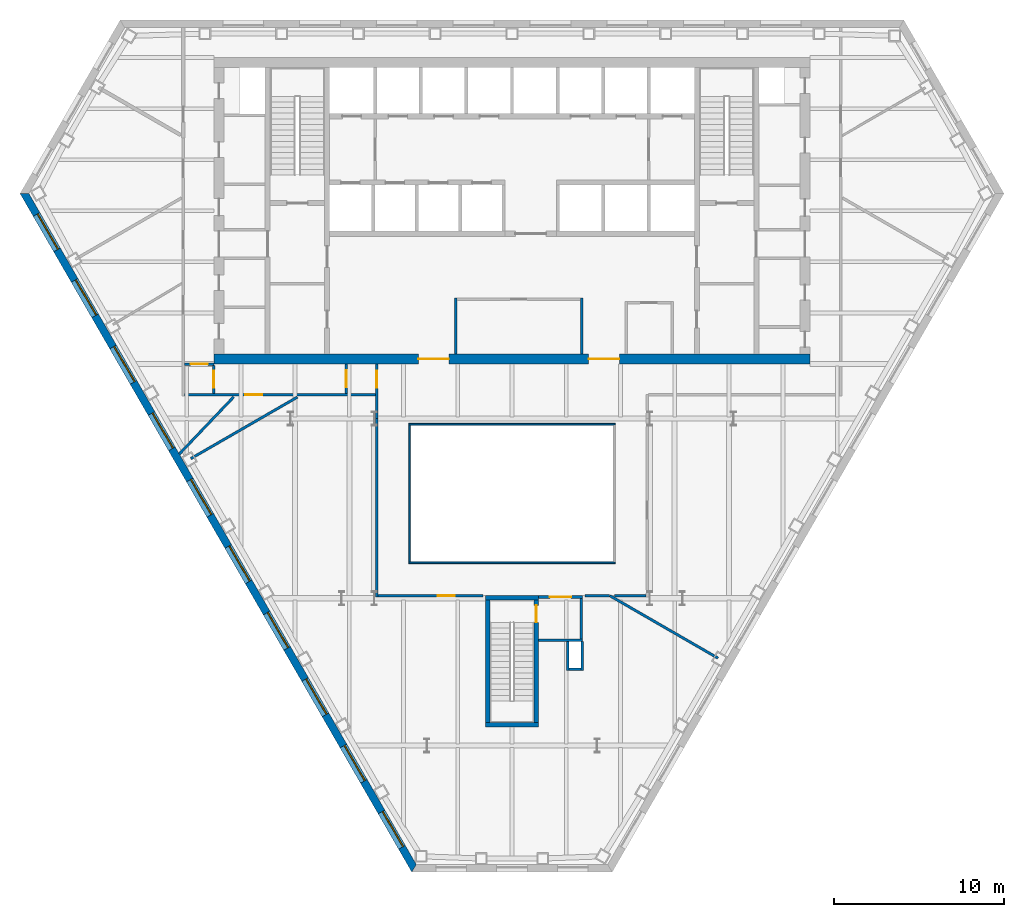
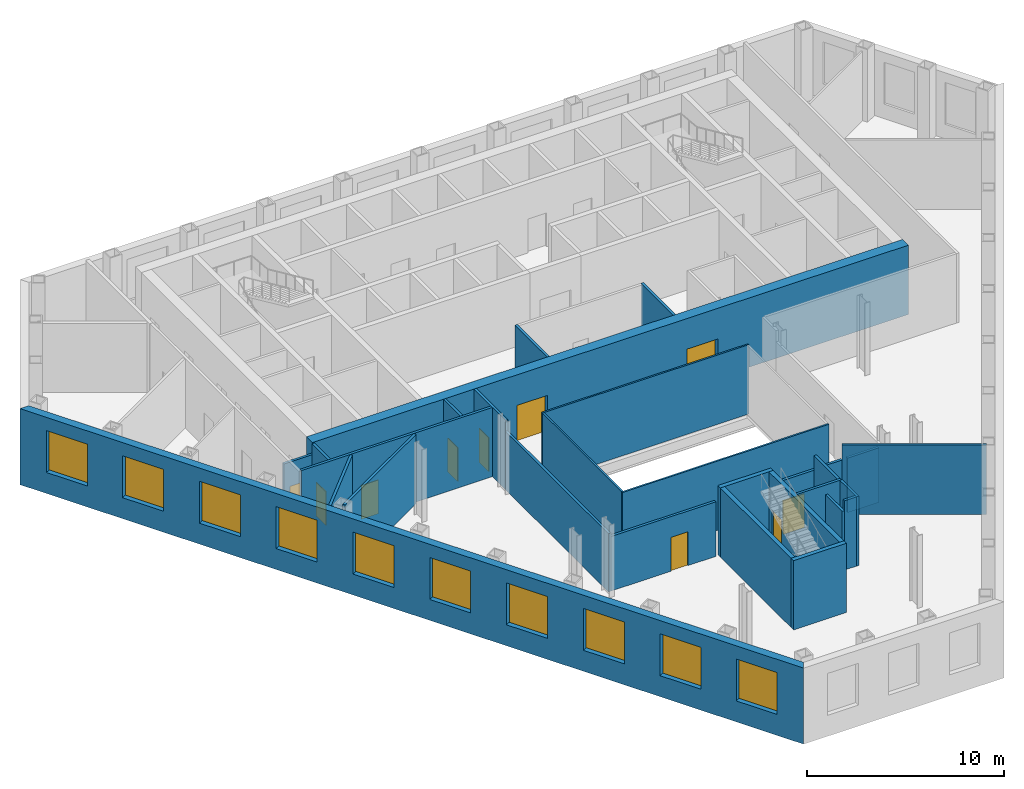
# One storey, part 4 of 11: 29 walls, 10 doors, 10 windows, 20 openings.
"""IFC4 building model written with IfcOpenShell, lengths in metres."""

from ifc_helpers import new_model, si_unit, direction, frame, frame_2d, origin, place, context, subcontext, project, spatial, polyline, rectangle, outline, extrude, material, layer, layer_set, type_object, element, fill, save


model = new_model("IFC4")

# Units and contexts
model_context = context("Model", 3, precision=1e-05, world=origin(), true_north=direction((0.0, 1.0)))
body_context = subcontext(model_context, "Body", "Model", "MODEL_VIEW")
ifc_project = project(units=[si_unit("LENGTHUNIT", "METRE"), si_unit("AREAUNIT", "SQUARE_METRE"), si_unit("VOLUMEUNIT", "CUBIC_METRE"), si_unit("PLANEANGLEUNIT", "RADIAN"), si_unit("MASSUNIT", "GRAM", prefix="KILO")], contexts=[model_context])

# Site, building, storey
site_placement = place(None, origin())
site = spatial("IfcSite", under=ifc_project, at=site_placement, CompositionType="ELEMENT")
building_placement = place(site_placement, origin())
building = spatial("IfcBuilding", under=site, at=building_placement, Name="Njiva Tower", CompositionType="ELEMENT")
storey_placement = place(building_placement, frame((0.0, 0.0, 42.3)))
storey = spatial("IfcBuildingStorey", under=building, at=storey_placement, Name="L08", CompositionType="ELEMENT", Elevation=42.3)

# Walls
ifc_material_1 = material(Name="Blockwork", Category="masonry")
ifc_layer_1 = layer(ifc_material_1, 0.15)
ifc_layer_set_1 = layer_set([ifc_layer_1], Name="Blockwork")
wall_type_1 = type_object("IfcWallType", Name="WT1 Compartment partition 150", PredefinedType="PARTITIONING", material=ifc_layer_set_1)
for number, where, z_axis, x_axis, name in (
    (1, (-3.3, 0.6, 0.0), (0.0, 0.0, 1.0), (0.0, 1.0, 0.0), "Information office wall west"),
    (2, (4.1, 0.6, 0.0), (0.0, 0.0, 1.0), (0.0, 1.0, 0.0), "Information office wall east"),
):
    element("IfcWall", number, at=place(storey_placement, frame(where, z_axis=z_axis, x_axis=x_axis)), inside=storey, type_object=wall_type_1, Name=name, PredefinedType="PARTITIONING", context=body_context, shape_type="SweptSolid", body=[
        extrude(rectangle(XDim=3.275, YDim=0.15, at=frame_2d((1.6375, 0.0))), origin(), (0.0, 0.0, 1.0), 4.3),
    ])

# Wall, openings, doors
ifc_material_2 = material(Name="Concrete C60/75", Category="concrete")
ifc_layer_2 = layer(ifc_material_2, 0.6)
ifc_layer_set_2 = layer_set([ifc_layer_2], Name="Concrete C60/75")
wall_type_2 = type_object("IfcWallType", Name="WT15 Core wall 600", PredefinedType="SHEAR", material=ifc_layer_set_2)
wall_1_placement = place(storey_placement, frame((-17.5, 0.3, 0.0), z_axis=(0.0, 0.0, 1.0), x_axis=(1.0, 0.0, 0.0)))
wall_1 = element("IfcWall", 3, at=wall_1_placement, inside=storey, type_object=wall_type_2, Name="Core wall south", PredefinedType="SHEAR", context=body_context, shape_type="SweptSolid", body=[
    extrude(rectangle(XDim=35.0, YDim=0.6, at=frame_2d((17.5, 0.0))), origin(), (0.0, 0.0, 1.0), 4.3),
])
opening_1_placement = place(wall_1_placement, frame((12.0, 0.0, 0.0)))
opening_1 = element("IfcOpeningElement", 4, at=opening_1_placement, cuts=wall_1, Name="Opening S02-D937", PredefinedType="OPENING", context=body_context, shape_type="SweptSolid", body=[
    extrude(rectangle(XDim=1.8, YDim=2.4, at=frame_2d((0.9, 1.2))), frame((0.0, 0.31, 0.0), z_axis=(0.0, -1.0, 0.0), x_axis=(1.0, 0.0, 0.0)), (0.0, 0.0, 1.0), 0.62),
])
opening_2_placement = place(wall_1_placement, frame((22.0, 0.0, 0.0)))
opening_2 = element("IfcOpeningElement", 5, at=opening_2_placement, cuts=wall_1, Name="Opening S02-D938", PredefinedType="OPENING", context=body_context, shape_type="SweptSolid", body=[
    extrude(rectangle(XDim=1.8, YDim=2.4, at=frame_2d((0.9, 1.2))), frame((0.0, 0.31, 0.0), z_axis=(0.0, -1.0, 0.0), x_axis=(1.0, 0.0, 0.0)), (0.0, 0.0, 1.0), 0.62),
])
ifc_material_3 = material(Name="Steel and glass door", Category="steel")
door_type_1 = type_object("IfcDoorType", Name="D3 Core entrance door 1800x2400", OperationType="DOUBLE_DOOR_SINGLE_SWING", PredefinedType="DOOR", material=ifc_material_3)
door_1_placement = place(opening_1_placement, origin())
door_1 = element("IfcDoor", 6, at=door_1_placement, inside=storey, type_object=door_type_1, Name="Core entrance door", OperationType="DOUBLE_DOOR_SINGLE_SWING", OverallHeight=2.4, OverallWidth=1.8, PredefinedType="DOOR", context=body_context, shape_type="SweptSolid", body=[
    extrude(rectangle(XDim=1.8, YDim=2.4, at=frame_2d((0.9, 1.2))), frame((0.0, 0.025, 0.0), z_axis=(0.0, -1.0, 0.0), x_axis=(1.0, 0.0, 0.0)), (0.0, 0.0, 1.0), 0.05),
])
fill(opening_1, door_1)
door_2_placement = place(opening_2_placement, origin())
door_2 = element("IfcDoor", 7, at=door_2_placement, inside=storey, type_object=door_type_1, Name="Core entrance door", OperationType="DOUBLE_DOOR_SINGLE_SWING", OverallHeight=2.4, OverallWidth=1.8, PredefinedType="DOOR", context=body_context, shape_type="SweptSolid", body=[
    extrude(rectangle(XDim=1.8, YDim=2.4, at=frame_2d((0.9, 1.2))), frame((0.0, 0.025, 0.0), z_axis=(0.0, -1.0, 0.0), x_axis=(1.0, 0.0, 0.0)), (0.0, 0.0, 1.0), 0.05),
])
fill(opening_2, door_2)

# Wall
ifc_material_4 = material(Name="Gypsum board on steel studs", Category="gypsum")
ifc_layer_3 = layer(ifc_material_4, 0.15)
ifc_layer_set_3 = layer_set([ifc_layer_3], Name="Gypsum board on steel studs")
wall_type_3 = type_object("IfcWallType", Name="WT21 Compartment wall 150", PredefinedType="PARTITIONING", material=ifc_layer_set_3)
wall_2_placement = place(storey_placement, frame((-19.533, -5.282, 0.0), z_axis=(0.0, 0.0, 1.0), x_axis=(0.689628223258, 0.724163595941, 0.0)))
element("IfcWall", 8, at=wall_2_placement, inside=storey, type_object=wall_type_3, Name="Partition S02-P004", PredefinedType="PARTITIONING", context=body_context, shape_type="SweptSolid", body=[
    extrude(rectangle(XDim=4.6329, YDim=0.15, at=frame_2d((2.3164, 0.0))), origin(), (0.0, 0.0, 1.0), 4.3),
])

# Wall, opening, door
wall_3_placement = place(storey_placement, frame((-19.225, -1.8, 0.0), z_axis=(0.0, 0.0, 1.0), x_axis=(1.0, 0.0, 0.0)))
wall_3 = element("IfcWall", 9, at=wall_3_placement, inside=storey, type_object=wall_type_3, Name="Partition S02-P007", PredefinedType="PARTITIONING", context=body_context, shape_type="SweptSolid", body=[
    extrude(rectangle(XDim=11.21, YDim=0.15, at=frame_2d((5.605, 0.0))), origin(), (0.0, 0.0, 1.0), 4.3),
])
opening_3_placement = place(wall_3_placement, frame((3.559, 0.0, 0.0)))
opening_3 = element("IfcOpeningElement", 10, at=opening_3_placement, cuts=wall_3, Name="Opening S02-D005", PredefinedType="OPENING", context=body_context, shape_type="SweptSolid", body=[
    extrude(rectangle(XDim=1.0, YDim=2.1, at=frame_2d((0.5, 1.05))), frame((0.0, 0.085, 0.0), z_axis=(0.0, -1.0, 0.0), x_axis=(1.0, 0.0, 0.0)), (0.0, 0.0, 1.0), 0.17),
])
ifc_material_5 = material(Name="Steel fire door set", Category="steel")
door_type_2 = type_object("IfcDoorType", Name="D37 Fire door 1000x2100", OperationType="SINGLE_SWING_LEFT", PredefinedType="DOOR", material=ifc_material_5)
door_3_placement = place(opening_3_placement, origin())
door_3 = element("IfcDoor", 11, at=door_3_placement, inside=storey, type_object=door_type_2, Name="Door S02-D005", OperationType="SINGLE_SWING_LEFT", OverallHeight=2.1, OverallWidth=1.0, PredefinedType="DOOR", context=body_context, shape_type="SweptSolid", body=[
    extrude(rectangle(XDim=1.0, YDim=2.1, at=frame_2d((0.5, 1.05))), frame((0.0, 0.025, 0.0), z_axis=(0.0, -1.0, 0.0), x_axis=(1.0, 0.0, 0.0)), (0.0, 0.0, 1.0), 0.05),
])
fill(opening_3, door_3)

wall_4_placement = place(storey_placement, frame((-19.225, 0.0, 0.0), z_axis=(0.0, 0.0, 1.0), x_axis=(1.0, 0.0, 0.0)))
wall_4 = element("IfcWall", 12, at=wall_4_placement, inside=storey, type_object=wall_type_3, Name="Partition S02-P008", PredefinedType="PARTITIONING", context=body_context, shape_type="SweptSolid", body=[
    extrude(rectangle(XDim=1.725, YDim=0.15, at=frame_2d((0.8625, 0.0))), origin(), (0.0, 0.0, 1.0), 3.61),
])
opening_4_placement = place(wall_4_placement, frame((0.363, 0.0, 0.0)))
opening_4 = element("IfcOpeningElement", 13, at=opening_4_placement, cuts=wall_4, Name="Opening S02-D006", PredefinedType="OPENING", context=body_context, shape_type="SweptSolid", body=[
    extrude(rectangle(XDim=1.0, YDim=2.1, at=frame_2d((0.5, 1.05))), frame((0.0, 0.085, 0.0), z_axis=(0.0, -1.0, 0.0), x_axis=(1.0, 0.0, 0.0)), (0.0, 0.0, 1.0), 0.17),
])
door_4_placement = place(opening_4_placement, origin())
door_4 = element("IfcDoor", 14, at=door_4_placement, inside=storey, type_object=door_type_2, Name="Door S02-D006", OperationType="SINGLE_SWING_LEFT", OverallHeight=2.1, OverallWidth=1.0, PredefinedType="DOOR", context=body_context, shape_type="SweptSolid", body=[
    extrude(rectangle(XDim=1.0, YDim=2.1, at=frame_2d((0.5, 1.05))), frame((0.0, 0.025, 0.0), z_axis=(0.0, -1.0, 0.0), x_axis=(1.0, 0.0, 0.0)), (0.0, 0.0, 1.0), 0.05),
])
fill(opening_4, door_4)

# Wall
wall_5_placement = place(storey_placement, frame((-18.858, -5.552, 0.0), z_axis=(0.0, 0.0, 1.0), x_axis=(0.866088799389, 0.499890179513, 0.0)))
element("IfcWall", 15, at=wall_5_placement, inside=storey, type_object=wall_type_3, Name="Partition S02-P009", PredefinedType="PARTITIONING", context=body_context, shape_type="SweptSolid", body=[
    extrude(rectangle(XDim=7.2256, YDim=0.15, at=frame_2d((3.6128, 0.0))), origin(), (0.0, 0.0, 1.0), 4.3),
])

# Wall, opening, door
wall_6_placement = place(storey_placement, frame((-17.5, -1.725, 0.0), z_axis=(0.0, 0.0, 1.0), x_axis=(0.0, 1.0, 0.0)))
wall_6 = element("IfcWall", 16, at=wall_6_placement, inside=storey, type_object=wall_type_3, Name="Partition S02-P010", PredefinedType="PARTITIONING", context=body_context, shape_type="SweptSolid", body=[
    extrude(rectangle(XDim=1.65, YDim=0.15, at=frame_2d((0.825, 0.0))), origin(), (0.0, 0.0, 1.0), 4.3),
])
opening_5_placement = place(wall_6_placement, frame((0.325, 0.0, 0.0)))
opening_5 = element("IfcOpeningElement", 17, at=opening_5_placement, cuts=wall_6, Name="Opening S02-D007", PredefinedType="OPENING", context=body_context, shape_type="SweptSolid", body=[
    extrude(rectangle(XDim=1.0, YDim=2.1, at=frame_2d((0.5, 1.05))), frame((0.0, 0.085, 0.0), z_axis=(0.0, -1.0, 0.0), x_axis=(1.0, 0.0, 0.0)), (0.0, 0.0, 1.0), 0.17),
])
door_5_placement = place(opening_5_placement, origin())
door_5 = element("IfcDoor", 18, at=door_5_placement, inside=storey, type_object=door_type_2, Name="Door S02-D007", OperationType="SINGLE_SWING_LEFT", OverallHeight=2.1, OverallWidth=1.0, PredefinedType="DOOR", context=body_context, shape_type="SweptSolid", body=[
    extrude(rectangle(XDim=1.0, YDim=2.1, at=frame_2d((0.5, 1.05))), frame((0.0, 0.025, 0.0), z_axis=(0.0, -1.0, 0.0), x_axis=(1.0, 0.0, 0.0)), (0.0, 0.0, 1.0), 0.05),
])
fill(opening_5, door_5)

wall_7_placement = place(storey_placement, frame((-9.74, -1.725, 0.0), z_axis=(0.0, 0.0, 1.0), x_axis=(0.0, 1.0, 0.0)))
wall_7 = element("IfcWall", 19, at=wall_7_placement, inside=storey, type_object=wall_type_3, Name="Partition S02-P011", PredefinedType="PARTITIONING", context=body_context, shape_type="SweptSolid", body=[
    extrude(rectangle(XDim=1.725, YDim=0.15, at=frame_2d((0.8625, 0.0))), origin(), (0.0, 0.0, 1.0), 4.3),
])
opening_6_placement = place(wall_7_placement, frame((0.363, 0.0, 0.0)))
opening_6 = element("IfcOpeningElement", 20, at=opening_6_placement, cuts=wall_7, Name="Opening S02-D008", PredefinedType="OPENING", context=body_context, shape_type="SweptSolid", body=[
    extrude(rectangle(XDim=1.0, YDim=2.1, at=frame_2d((0.5, 1.05))), frame((0.0, 0.085, 0.0), z_axis=(0.0, -1.0, 0.0), x_axis=(1.0, 0.0, 0.0)), (0.0, 0.0, 1.0), 0.17),
])
door_6_placement = place(opening_6_placement, origin())
door_6 = element("IfcDoor", 21, at=door_6_placement, inside=storey, type_object=door_type_2, Name="Door S02-D008", OperationType="SINGLE_SWING_LEFT", OverallHeight=2.1, OverallWidth=1.0, PredefinedType="DOOR", context=body_context, shape_type="SweptSolid", body=[
    extrude(rectangle(XDim=1.0, YDim=2.1, at=frame_2d((0.5, 1.05))), frame((0.0, 0.025, 0.0), z_axis=(0.0, -1.0, 0.0), x_axis=(1.0, 0.0, 0.0)), (0.0, 0.0, 1.0), 0.05),
])
fill(opening_6, door_6)

# Wall
wall_8_placement = place(storey_placement, frame((-7.94, -13.675, 0.0), z_axis=(0.0, 0.0, 1.0), x_axis=(0.0, 1.0, 0.0)))
element("IfcWall", 22, at=wall_8_placement, inside=storey, type_object=wall_type_3, Name="Partition S02-P012", PredefinedType="PARTITIONING", context=body_context, shape_type="SweptSolid", body=[
    extrude(rectangle(XDim=10.475, YDim=0.15, at=frame_2d((5.2375, 0.0))), origin(), (0.0, 0.0, 1.0), 3.61),
])

# Wall, opening, door
wall_9_placement = place(storey_placement, frame((-7.94, -3.2, 0.0), z_axis=(0.0, 0.0, 1.0), x_axis=(0.0, 1.0, 0.0)))
wall_9 = element("IfcWall", 23, at=wall_9_placement, inside=storey, type_object=wall_type_3, Name="Partition S02-P012A", PredefinedType="PARTITIONING", context=body_context, shape_type="SweptSolid", body=[
    extrude(rectangle(XDim=3.2, YDim=0.15, at=frame_2d((1.6, 0.0))), origin(), (0.0, 0.0, 1.0), 4.3),
])
opening_7_placement = place(wall_9_placement, frame((1.8, 0.0, 0.0)))
opening_7 = element("IfcOpeningElement", 24, at=opening_7_placement, cuts=wall_9, Name="Opening S02-D009", PredefinedType="OPENING", context=body_context, shape_type="SweptSolid", body=[
    extrude(rectangle(XDim=1.0, YDim=2.1, at=frame_2d((0.5, 1.05))), frame((0.0, 0.085, 0.0), z_axis=(0.0, -1.0, 0.0), x_axis=(1.0, 0.0, 0.0)), (0.0, 0.0, 1.0), 0.17),
])
door_7_placement = place(opening_7_placement, origin())
door_7 = element("IfcDoor", 25, at=door_7_placement, inside=storey, type_object=door_type_2, Name="Door S02-D009", OperationType="SINGLE_SWING_LEFT", OverallHeight=2.1, OverallWidth=1.0, PredefinedType="DOOR", context=body_context, shape_type="SweptSolid", body=[
    extrude(rectangle(XDim=1.0, YDim=2.1, at=frame_2d((0.5, 1.05))), frame((0.0, 0.025, 0.0), z_axis=(0.0, -1.0, 0.0), x_axis=(1.0, 0.0, 0.0)), (0.0, 0.0, 1.0), 0.05),
])
fill(opening_7, door_7)

wall_10_placement = place(storey_placement, frame((-7.865, -13.6, 0.0), z_axis=(0.0, 0.0, 1.0), x_axis=(1.0, 0.0, 0.0)))
wall_10 = element("IfcWall", 26, at=wall_10_placement, inside=storey, type_object=wall_type_3, Name="Partition S02-P013", PredefinedType="PARTITIONING", context=body_context, shape_type="SweptSolid", body=[
    extrude(rectangle(XDim=6.165, YDim=0.15, at=frame_2d((3.0825, 0.0))), origin(), (0.0, 0.0, 1.0), 3.39),
])
opening_8_placement = place(wall_10_placement, frame((3.514, 0.0, 0.0)))
opening_8 = element("IfcOpeningElement", 27, at=opening_8_placement, cuts=wall_10, Name="Opening S02-D010", PredefinedType="OPENING", context=body_context, shape_type="SweptSolid", body=[
    extrude(rectangle(XDim=1.0, YDim=2.1, at=frame_2d((0.5, 1.05))), frame((0.0, 0.085, 0.0), z_axis=(0.0, -1.0, 0.0), x_axis=(1.0, 0.0, 0.0)), (0.0, 0.0, 1.0), 0.17),
])
door_8_placement = place(opening_8_placement, origin())
door_8 = element("IfcDoor", 28, at=door_8_placement, inside=storey, type_object=door_type_2, Name="Door S02-D010", OperationType="SINGLE_SWING_RIGHT", OverallHeight=2.1, OverallWidth=1.0, PredefinedType="DOOR", context=body_context, shape_type="SweptSolid", body=[
    extrude(rectangle(XDim=1.0, YDim=2.1, at=frame_2d((0.5, 1.05))), frame((0.0, 0.025, 0.0), z_axis=(0.0, -1.0, 0.0), x_axis=(1.0, 0.0, 0.0)), (0.0, 0.0, 1.0), 0.05),
])
fill(opening_8, door_8)

# Walls
wall_11_placement = place(storey_placement, frame((4.3, -13.6, 0.0), z_axis=(0.0, 0.0, 1.0), x_axis=(1.0, 0.0, 0.0)))
element("IfcWall", 29, at=wall_11_placement, inside=storey, type_object=wall_type_3, Name="Partition S02-P014", PredefinedType="PARTITIONING", context=body_context, shape_type="SweptSolid", body=[
    extrude(rectangle(XDim=1.41, YDim=0.15, at=frame_2d((0.705, 0.0))), origin(), (0.0, 0.0, 1.0), 3.39),
])
wall_12_placement = place(storey_placement, frame((5.747, -13.602, 0.0), z_axis=(0.0, 0.0, 1.0), x_axis=(0.866085627872, -0.49989567431, 0.0)))
element("IfcWall", 30, at=wall_12_placement, inside=storey, type_object=wall_type_3, Name="Partition S02-P015", PredefinedType="PARTITIONING", context=body_context, shape_type="SweptSolid", body=[
    extrude(rectangle(XDim=7.3295, YDim=0.15, at=frame_2d((3.6648, 0.0))), origin(), (0.0, 0.0, 1.0), 4.3),
])
wall_13_placement = place(storey_placement, frame((6.024, -13.6, 0.0), z_axis=(0.0, 0.0, 1.0), x_axis=(1.0, 0.0, 0.0)))
element("IfcWall", 31, at=wall_13_placement, inside=storey, type_object=wall_type_3, Name="Partition S02-P016", PredefinedType="PARTITIONING", context=body_context, shape_type="SweptSolid", body=[
    extrude(rectangle(XDim=1.841, YDim=0.15, at=frame_2d((0.9205, 0.0))), origin(), (0.0, 0.0, 1.0), 3.39),
])
ifc_layer_4 = layer(ifc_material_1, 0.15)
ifc_layer_set_4 = layer_set([ifc_layer_4], Name="Blockwork")
wall_type_4 = type_object("IfcWallType", Name="WT4 Stair partition 150", PredefinedType="PARTITIONING", material=ifc_layer_set_4)
wall_14_placement = place(storey_placement, frame((1.55, -16.225, 0.0), z_axis=(0.0, 0.0, 1.0), x_axis=(1.0, 0.0, 0.0)))
element("IfcWall", 32, at=wall_14_placement, inside=storey, type_object=wall_type_4, Name="Stair C vestibule wall south", PredefinedType="PARTITIONING", context=body_context, shape_type="SweptSolid", body=[
    extrude(rectangle(XDim=2.6, YDim=0.15, at=frame_2d((1.3, 0.0))), origin(), (0.0, 0.0, 1.0), 4.3),
])
wall_15_placement = place(storey_placement, frame((4.075, -16.15, 0.0), z_axis=(0.0, 0.0, 1.0), x_axis=(0.0, 1.0, 0.0)))
element("IfcWall", 33, at=wall_15_placement, inside=storey, type_object=wall_type_4, Name="Stair C vestibule wall east", PredefinedType="PARTITIONING", context=body_context, shape_type="SweptSolid", body=[
    extrude(rectangle(XDim=2.4, YDim=0.15, at=frame_2d((1.2, 0.0))), origin(), (0.0, 0.0, 1.0), 4.3),
])

# Wall, opening, door
wall_16_placement = place(storey_placement, frame((1.55, -13.675, 0.0), z_axis=(0.0, 0.0, 1.0), x_axis=(1.0, 0.0, 0.0)))
wall_16 = element("IfcWall", 34, at=wall_16_placement, inside=storey, type_object=wall_type_4, Name="Stair C vestibule wall north", PredefinedType="PARTITIONING", context=body_context, shape_type="SweptSolid", body=[
    extrude(rectangle(XDim=2.6, YDim=0.15, at=frame_2d((1.3, 0.0))), origin(), (0.0, 0.0, 1.0), 3.39),
])
opening_9_placement = place(wall_16_placement, frame((0.675, 0.0, 0.0)))
opening_9 = element("IfcOpeningElement", 35, at=opening_9_placement, cuts=wall_16, Name="Opening S02-D940", PredefinedType="OPENING", context=body_context, shape_type="SweptSolid", body=[
    extrude(rectangle(XDim=1.25, YDim=2.1, at=frame_2d((0.625, 1.05))), frame((0.0, 0.085, 0.0), z_axis=(0.0, -1.0, 0.0), x_axis=(1.0, 0.0, 0.0)), (0.0, 0.0, 1.0), 0.17),
])
ifc_material_6 = material(Name="Glazed steel fire door", Category="steel")
door_type_3 = type_object("IfcDoorType", Name="D8 Vestibule corridor door 1250x2100 glazed", OperationType="SINGLE_SWING_LEFT", PredefinedType="DOOR", material=ifc_material_6)
door_9_placement = place(opening_9_placement, origin())
door_9 = element("IfcDoor", 36, at=door_9_placement, inside=storey, type_object=door_type_3, Name="Stair vestibule corridor door", OperationType="SINGLE_SWING_RIGHT", OverallHeight=2.1, OverallWidth=1.25, PredefinedType="DOOR", context=body_context, shape_type="SweptSolid", body=[
    extrude(rectangle(XDim=1.25, YDim=2.1, at=frame_2d((0.625, 1.05))), frame((0.0, 0.025, 0.0), z_axis=(0.0, -1.0, 0.0), x_axis=(1.0, 0.0, 0.0)), (0.0, 0.0, 1.0), 0.05),
])
fill(opening_9, door_9)

# Walls
wall_17_placement = place(storey_placement, frame((3.275, -18.0, 0.0), z_axis=(0.0, 0.0, 1.0), x_axis=(0.0, 1.0, 0.0)))
element("IfcWall", 37, at=wall_17_placement, inside=storey, type_object=wall_type_4, Name="Stair C pressurisation shaft wall", PredefinedType="PARTITIONING", context=body_context, shape_type="SweptSolid", body=[
    extrude(rectangle(XDim=1.7, YDim=0.15, at=frame_2d((0.85, 0.0))), origin(), (0.0, 0.0, 1.0), 3.7),
])
wall_18_placement = place(storey_placement, frame((3.35, -17.925, 0.0), z_axis=(0.0, 0.0, 1.0), x_axis=(1.0, 0.0, 0.0)))
element("IfcWall", 38, at=wall_18_placement, inside=storey, type_object=wall_type_4, Name="Stair C pressurisation shaft wall", PredefinedType="PARTITIONING", context=body_context, shape_type="SweptSolid", body=[
    extrude(rectangle(XDim=0.7, YDim=0.15, at=frame_2d((0.35, 0.0))), origin(), (0.0, 0.0, 1.0), 4.3),
])
wall_19_placement = place(storey_placement, frame((4.125, -18.0, 0.0), z_axis=(0.0, 0.0, 1.0), x_axis=(0.0, 1.0, 0.0)))
element("IfcWall", 39, at=wall_19_placement, inside=storey, type_object=wall_type_4, Name="Stair C pressurisation shaft wall", PredefinedType="PARTITIONING", context=body_context, shape_type="SweptSolid", body=[
    extrude(rectangle(XDim=1.7, YDim=0.15, at=frame_2d((0.85, 0.0))), origin(), (0.0, 0.0, 1.0), 4.3),
])
ifc_material_7 = material(Name="Concrete C40/50", Category="concrete")
ifc_layer_5 = layer(ifc_material_7, 0.25)
ifc_layer_set_5 = layer_set([ifc_layer_5], Name="Concrete C40/50")
wall_type_5 = type_object("IfcWallType", Name="WT9 Stair enclosure wall 250", PredefinedType="SHEAR", material=ifc_layer_set_5)
wall_20_placement = place(storey_placement, frame((-1.425, -21.05, 0.0), z_axis=(0.0, 0.0, 1.0), x_axis=(0.0, 1.0, 0.0)))
element("IfcWall", 40, at=wall_20_placement, inside=storey, type_object=wall_type_5, Name="Stair C wall west", PredefinedType="SHEAR", context=body_context, shape_type="SweptSolid", body=[
    extrude(rectangle(XDim=7.2, YDim=0.25, at=frame_2d((3.6, 0.0))), origin(), (0.0, 0.0, 1.0), 4.3),
])

# Wall, opening, door
wall_21_placement = place(storey_placement, frame((1.425, -21.05, 0.0), z_axis=(0.0, 0.0, 1.0), x_axis=(0.0, 1.0, 0.0)))
wall_21 = element("IfcWall", 41, at=wall_21_placement, inside=storey, type_object=wall_type_5, Name="Stair C wall east", PredefinedType="SHEAR", context=body_context, shape_type="SweptSolid", body=[
    extrude(rectangle(XDim=7.2, YDim=0.25, at=frame_2d((3.6, 0.0))), origin(), (0.0, 0.0, 1.0), 4.3),
])
opening_10_placement = place(wall_21_placement, frame((5.89, 0.0, 0.0)))
opening_10 = element("IfcOpeningElement", 42, at=opening_10_placement, cuts=wall_21, Name="Opening S02-D939", PredefinedType="OPENING", context=body_context, shape_type="SweptSolid", body=[
    extrude(rectangle(XDim=1.0, YDim=2.1, at=frame_2d((0.5, 1.05))), frame((0.0, 0.135, 0.0), z_axis=(0.0, -1.0, 0.0), x_axis=(1.0, 0.0, 0.0)), (0.0, 0.0, 1.0), 0.27),
])
door_type_4 = type_object("IfcDoorType", Name="D9 Stair vestibule door 1000x2100 glazed", OperationType="SINGLE_SWING_LEFT", PredefinedType="DOOR", material=ifc_material_6)
door_10_placement = place(opening_10_placement, origin())
door_10 = element("IfcDoor", 43, at=door_10_placement, inside=storey, type_object=door_type_4, Name="Stair C door", OperationType="SINGLE_SWING_LEFT", OverallHeight=2.1, OverallWidth=1.0, PredefinedType="DOOR", context=body_context, shape_type="SweptSolid", body=[
    extrude(rectangle(XDim=1.0, YDim=2.1, at=frame_2d((0.5, 1.05))), frame((0.0, 0.025, 0.0), z_axis=(0.0, -1.0, 0.0), x_axis=(1.0, 0.0, 0.0)), (0.0, 0.0, 1.0), 0.05),
])
fill(opening_10, door_10)

# Walls
for number, where, z_axis, x_axis, name in (
    (44, (-1.55, -21.175, 0.0), (0.0, 0.0, 1.0), (1.0, 0.0, 0.0), "Stair C wall south"),
    (45, (-1.55, -13.725, 0.0), (0.0, 0.0, 1.0), (1.0, 0.0, 0.0), "Stair C wall north"),
):
    element("IfcWall", number, at=place(storey_placement, frame(where, z_axis=z_axis, x_axis=x_axis)), inside=storey, type_object=wall_type_5, Name=name, PredefinedType="SHEAR", context=body_context, shape_type="SweptSolid", body=[
        extrude(rectangle(XDim=3.1, YDim=0.25, at=frame_2d((1.55, 0.0))), origin(), (0.0, 0.0, 1.0), 4.3),
    ])

# Wall, openings, windows
ifc_material_8 = material(Name="Brick masonry", Category="masonry")
ifc_layer_6 = layer(ifc_material_8, 0.45)
ifc_layer_set_6 = layer_set([ifc_layer_6], Name="Brick masonry")
wall_type_6 = type_object("IfcWallType", Name="WT90 Brick pier and spandrel wall 450", PredefinedType="SOLIDWALL", material=ifc_layer_set_6)
wall_22_placement = place(storey_placement, frame((-28.6252, 10.0155, -0.4), z_axis=(0.0, 0.0, 1.0), x_axis=(0.500000335318, -0.866025210188, 0.0)))
wall_22 = element("IfcWall", 46, at=wall_22_placement, inside=storey, type_object=wall_type_6, Name="Facade wall SW", PredefinedType="SOLIDWALL", context=body_context, shape_type="SweptSolid", body=[
    extrude(outline(polyline([(-0.1299, -0.225), (45.8801, -0.225), (45.6203, 0.225), (0.1299, 0.225), (-0.1299, -0.225)])), origin(), (0.0, 0.0, 1.0), 4.72),
])
opening_11_placement = place(wall_22_placement, frame((1.4247, 0.0, 1.3)))
opening_11 = element("IfcOpeningElement", 47, at=opening_11_placement, cuts=wall_22, Name="Opening S02-W12", PredefinedType="OPENING", context=body_context, shape_type="SweptSolid", body=[
    extrude(rectangle(XDim=2.4, YDim=2.6, at=frame_2d((1.2, 1.3))), frame((0.0, 0.235, 0.0), z_axis=(0.0, -1.0, 0.0), x_axis=(1.0, 0.0, 0.0)), (0.0, 0.0, 1.0), 0.47),
])
opening_12_placement = place(wall_22_placement, frame((5.8949, 0.0, 1.3)))
opening_12 = element("IfcOpeningElement", 48, at=opening_12_placement, cuts=wall_22, Name="Opening S02-W13", PredefinedType="OPENING", context=body_context, shape_type="SweptSolid", body=[
    extrude(rectangle(XDim=2.4, YDim=2.6, at=frame_2d((1.2, 1.3))), frame((0.0, 0.235, 0.0), z_axis=(0.0, -1.0, 0.0), x_axis=(1.0, 0.0, 0.0)), (0.0, 0.0, 1.0), 0.47),
])
opening_13_placement = place(wall_22_placement, frame((10.4035, 0.0, 1.3)))
opening_13 = element("IfcOpeningElement", 49, at=opening_13_placement, cuts=wall_22, Name="Opening S02-W14", PredefinedType="OPENING", context=body_context, shape_type="SweptSolid", body=[
    extrude(rectangle(XDim=2.4, YDim=2.6, at=frame_2d((1.2, 1.3))), frame((0.0, 0.235, 0.0), z_axis=(0.0, -1.0, 0.0), x_axis=(1.0, 0.0, 0.0)), (0.0, 0.0, 1.0), 0.47),
])
opening_14_placement = place(wall_22_placement, frame((14.9122, 0.0, 1.3)))
opening_14 = element("IfcOpeningElement", 50, at=opening_14_placement, cuts=wall_22, Name="Opening S02-W15", PredefinedType="OPENING", context=body_context, shape_type="SweptSolid", body=[
    extrude(rectangle(XDim=2.4, YDim=2.6, at=frame_2d((1.2, 1.3))), frame((0.0, 0.235, 0.0), z_axis=(0.0, -1.0, 0.0), x_axis=(1.0, 0.0, 0.0)), (0.0, 0.0, 1.0), 0.47),
])
opening_15_placement = place(wall_22_placement, frame((19.4208, 0.0, 1.3)))
opening_15 = element("IfcOpeningElement", 51, at=opening_15_placement, cuts=wall_22, Name="Opening S02-W16", PredefinedType="OPENING", context=body_context, shape_type="SweptSolid", body=[
    extrude(rectangle(XDim=2.4, YDim=2.6, at=frame_2d((1.2, 1.3))), frame((0.0, 0.235, 0.0), z_axis=(0.0, -1.0, 0.0), x_axis=(1.0, 0.0, 0.0)), (0.0, 0.0, 1.0), 0.47),
])
opening_16_placement = place(wall_22_placement, frame((23.9294, 0.0, 1.3)))
opening_16 = element("IfcOpeningElement", 52, at=opening_16_placement, cuts=wall_22, Name="Opening S02-W17", PredefinedType="OPENING", context=body_context, shape_type="SweptSolid", body=[
    extrude(rectangle(XDim=2.4, YDim=2.6, at=frame_2d((1.2, 1.3))), frame((0.0, 0.235, 0.0), z_axis=(0.0, -1.0, 0.0), x_axis=(1.0, 0.0, 0.0)), (0.0, 0.0, 1.0), 0.47),
])
opening_17_placement = place(wall_22_placement, frame((28.438, 0.0, 1.3)))
opening_17 = element("IfcOpeningElement", 53, at=opening_17_placement, cuts=wall_22, Name="Opening S02-W18", PredefinedType="OPENING", context=body_context, shape_type="SweptSolid", body=[
    extrude(rectangle(XDim=2.4, YDim=2.6, at=frame_2d((1.2, 1.3))), frame((0.0, 0.235, 0.0), z_axis=(0.0, -1.0, 0.0), x_axis=(1.0, 0.0, 0.0)), (0.0, 0.0, 1.0), 0.47),
])
opening_18_placement = place(wall_22_placement, frame((32.9466, 0.0, 1.3)))
opening_18 = element("IfcOpeningElement", 54, at=opening_18_placement, cuts=wall_22, Name="Opening S02-W19", PredefinedType="OPENING", context=body_context, shape_type="SweptSolid", body=[
    extrude(rectangle(XDim=2.4, YDim=2.6, at=frame_2d((1.2, 1.3))), frame((0.0, 0.235, 0.0), z_axis=(0.0, -1.0, 0.0), x_axis=(1.0, 0.0, 0.0)), (0.0, 0.0, 1.0), 0.47),
])
opening_19_placement = place(wall_22_placement, frame((37.4553, 0.0, 1.3)))
opening_19 = element("IfcOpeningElement", 55, at=opening_19_placement, cuts=wall_22, Name="Opening S02-W20", PredefinedType="OPENING", context=body_context, shape_type="SweptSolid", body=[
    extrude(rectangle(XDim=2.4, YDim=2.6, at=frame_2d((1.2, 1.3))), frame((0.0, 0.235, 0.0), z_axis=(0.0, -1.0, 0.0), x_axis=(1.0, 0.0, 0.0)), (0.0, 0.0, 1.0), 0.47),
])
opening_20_placement = place(wall_22_placement, frame((41.9255, 0.0, 1.3)))
opening_20 = element("IfcOpeningElement", 56, at=opening_20_placement, cuts=wall_22, Name="Opening S02-W21", PredefinedType="OPENING", context=body_context, shape_type="SweptSolid", body=[
    extrude(rectangle(XDim=2.4, YDim=2.6, at=frame_2d((1.2, 1.3))), frame((0.0, 0.235, 0.0), z_axis=(0.0, -1.0, 0.0), x_axis=(1.0, 0.0, 0.0)), (0.0, 0.0, 1.0), 0.47),
])
ifc_material_9 = material(Name="Clear glazing in aluminium frame", Category="aluminium")
window_type = type_object("IfcWindowType", Name="W92 Deep-set window 2400x2600", PartitioningType="SINGLE_PANEL", PredefinedType="WINDOW", material=ifc_material_9)
window_1_placement = place(opening_11_placement, origin())
window_1 = element("IfcWindow", 57, at=window_1_placement, inside=storey, type_object=window_type, Name="Window", OverallHeight=2.6, OverallWidth=2.4, PartitioningType="SINGLE_PANEL", PredefinedType="WINDOW", context=body_context, shape_type="SweptSolid", body=[
    extrude(rectangle(XDim=2.4, YDim=2.6, at=frame_2d((1.2, 1.3))), frame((0.0, 0.105, 0.0), z_axis=(0.0, -1.0, 0.0), x_axis=(1.0, 0.0, 0.0)), (0.0, 0.0, 1.0), 0.06),
])
fill(opening_11, window_1)
window_2_placement = place(opening_12_placement, origin())
window_2 = element("IfcWindow", 58, at=window_2_placement, inside=storey, type_object=window_type, Name="Window", OverallHeight=2.6, OverallWidth=2.4, PartitioningType="SINGLE_PANEL", PredefinedType="WINDOW", context=body_context, shape_type="SweptSolid", body=[
    extrude(rectangle(XDim=2.4, YDim=2.6, at=frame_2d((1.2, 1.3))), frame((0.0, 0.105, 0.0), z_axis=(0.0, -1.0, 0.0), x_axis=(1.0, 0.0, 0.0)), (0.0, 0.0, 1.0), 0.06),
])
fill(opening_12, window_2)
window_3_placement = place(opening_13_placement, origin())
window_3 = element("IfcWindow", 59, at=window_3_placement, inside=storey, type_object=window_type, Name="Window", OverallHeight=2.6, OverallWidth=2.4, PartitioningType="SINGLE_PANEL", PredefinedType="WINDOW", context=body_context, shape_type="SweptSolid", body=[
    extrude(rectangle(XDim=2.4, YDim=2.6, at=frame_2d((1.2, 1.3))), frame((0.0, 0.105, 0.0), z_axis=(0.0, -1.0, 0.0), x_axis=(1.0, 0.0, 0.0)), (0.0, 0.0, 1.0), 0.06),
])
fill(opening_13, window_3)
window_4_placement = place(opening_14_placement, origin())
window_4 = element("IfcWindow", 60, at=window_4_placement, inside=storey, type_object=window_type, Name="Window", OverallHeight=2.6, OverallWidth=2.4, PartitioningType="SINGLE_PANEL", PredefinedType="WINDOW", context=body_context, shape_type="SweptSolid", body=[
    extrude(rectangle(XDim=2.4, YDim=2.6, at=frame_2d((1.2, 1.3))), frame((0.0, 0.105, 0.0), z_axis=(0.0, -1.0, 0.0), x_axis=(1.0, 0.0, 0.0)), (0.0, 0.0, 1.0), 0.06),
])
fill(opening_14, window_4)
window_5_placement = place(opening_15_placement, origin())
window_5 = element("IfcWindow", 61, at=window_5_placement, inside=storey, type_object=window_type, Name="Window", OverallHeight=2.6, OverallWidth=2.4, PartitioningType="SINGLE_PANEL", PredefinedType="WINDOW", context=body_context, shape_type="SweptSolid", body=[
    extrude(rectangle(XDim=2.4, YDim=2.6, at=frame_2d((1.2, 1.3))), frame((0.0, 0.105, 0.0), z_axis=(0.0, -1.0, 0.0), x_axis=(1.0, 0.0, 0.0)), (0.0, 0.0, 1.0), 0.06),
])
fill(opening_15, window_5)
window_6_placement = place(opening_16_placement, origin())
window_6 = element("IfcWindow", 62, at=window_6_placement, inside=storey, type_object=window_type, Name="Window", OverallHeight=2.6, OverallWidth=2.4, PartitioningType="SINGLE_PANEL", PredefinedType="WINDOW", context=body_context, shape_type="SweptSolid", body=[
    extrude(rectangle(XDim=2.4, YDim=2.6, at=frame_2d((1.2, 1.3))), frame((0.0, 0.105, 0.0), z_axis=(0.0, -1.0, 0.0), x_axis=(1.0, 0.0, 0.0)), (0.0, 0.0, 1.0), 0.06),
])
fill(opening_16, window_6)
window_7_placement = place(opening_17_placement, origin())
window_7 = element("IfcWindow", 63, at=window_7_placement, inside=storey, type_object=window_type, Name="Window", OverallHeight=2.6, OverallWidth=2.4, PartitioningType="SINGLE_PANEL", PredefinedType="WINDOW", context=body_context, shape_type="SweptSolid", body=[
    extrude(rectangle(XDim=2.4, YDim=2.6, at=frame_2d((1.2, 1.3))), frame((0.0, 0.105, 0.0), z_axis=(0.0, -1.0, 0.0), x_axis=(1.0, 0.0, 0.0)), (0.0, 0.0, 1.0), 0.06),
])
fill(opening_17, window_7)
window_8_placement = place(opening_18_placement, origin())
window_8 = element("IfcWindow", 64, at=window_8_placement, inside=storey, type_object=window_type, Name="Window", OverallHeight=2.6, OverallWidth=2.4, PartitioningType="SINGLE_PANEL", PredefinedType="WINDOW", context=body_context, shape_type="SweptSolid", body=[
    extrude(rectangle(XDim=2.4, YDim=2.6, at=frame_2d((1.2, 1.3))), frame((0.0, 0.105, 0.0), z_axis=(0.0, -1.0, 0.0), x_axis=(1.0, 0.0, 0.0)), (0.0, 0.0, 1.0), 0.06),
])
fill(opening_18, window_8)
window_9_placement = place(opening_19_placement, origin())
window_9 = element("IfcWindow", 65, at=window_9_placement, inside=storey, type_object=window_type, Name="Window", OverallHeight=2.6, OverallWidth=2.4, PartitioningType="SINGLE_PANEL", PredefinedType="WINDOW", context=body_context, shape_type="SweptSolid", body=[
    extrude(rectangle(XDim=2.4, YDim=2.6, at=frame_2d((1.2, 1.3))), frame((0.0, 0.105, 0.0), z_axis=(0.0, -1.0, 0.0), x_axis=(1.0, 0.0, 0.0)), (0.0, 0.0, 1.0), 0.06),
])
fill(opening_19, window_9)
window_10_placement = place(opening_20_placement, origin())
window_10 = element("IfcWindow", 66, at=window_10_placement, inside=storey, type_object=window_type, Name="Window", OverallHeight=2.6, OverallWidth=2.4, PartitioningType="SINGLE_PANEL", PredefinedType="WINDOW", context=body_context, shape_type="SweptSolid", body=[
    extrude(rectangle(XDim=2.4, YDim=2.6, at=frame_2d((1.2, 1.3))), frame((0.0, 0.105, 0.0), z_axis=(0.0, -1.0, 0.0), x_axis=(1.0, 0.0, 0.0)), (0.0, 0.0, 1.0), 0.06),
])
fill(opening_20, window_10)

# Walls
ifc_material_10 = material(Name="Fire-resisting glazing EI 90", Category="glass")
ifc_layer_7 = layer(ifc_material_10, 0.1)
ifc_layer_set_7 = layer_set([ifc_layer_7], Name="Fire-resisting glazing EI 90")
wall_type_7 = type_object("IfcWallType", Name="WT95 Fire-resisting glazed screen EI 90", PredefinedType="PARTITIONING", material=ifc_layer_set_7)
for number, where, z_axis, x_axis, name in (
    (67, (-6.06, -11.67, 0.0), (0.0, 0.0, 1.0), (1.0, 0.0, 0.0), "Atrium fire screen south"),
    (68, (6.06, -3.53, 0.0), (0.0, 0.0, 1.0), (-1.0, 0.0, 0.0), "Atrium fire screen north"),
):
    element("IfcWall", number, at=place(storey_placement, frame(where, z_axis=z_axis, x_axis=x_axis)), inside=storey, type_object=wall_type_7, Name=name, PredefinedType="PARTITIONING", context=body_context, shape_type="SweptSolid", body=[
        extrude(rectangle(XDim=12.12, YDim=0.1, at=frame_2d((6.06, 0.0))), origin(), (0.0, 0.0, 1.0), 4.3),
    ])
wall_23_placement = place(storey_placement, frame((-6.01, -3.58, 0.0), z_axis=(0.0, 0.0, 1.0), x_axis=(0.0, -1.0, 0.0)))
element("IfcWall", 69, at=wall_23_placement, inside=storey, type_object=wall_type_7, Name="Atrium fire screen west", PredefinedType="PARTITIONING", context=body_context, shape_type="SweptSolid", body=[
    extrude(rectangle(XDim=8.04, YDim=0.1, at=frame_2d((4.02, 0.0))), origin(), (0.0, 0.0, 1.0), 4.3),
])

save(model, "model.ifc")
